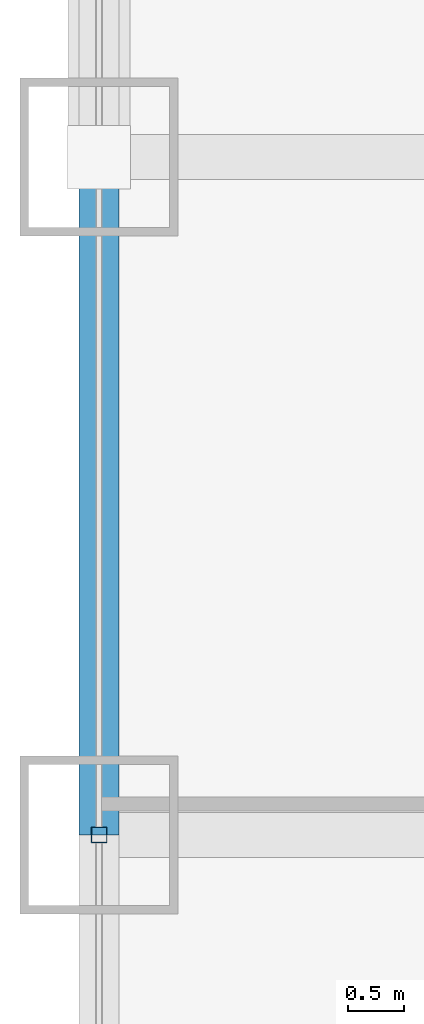
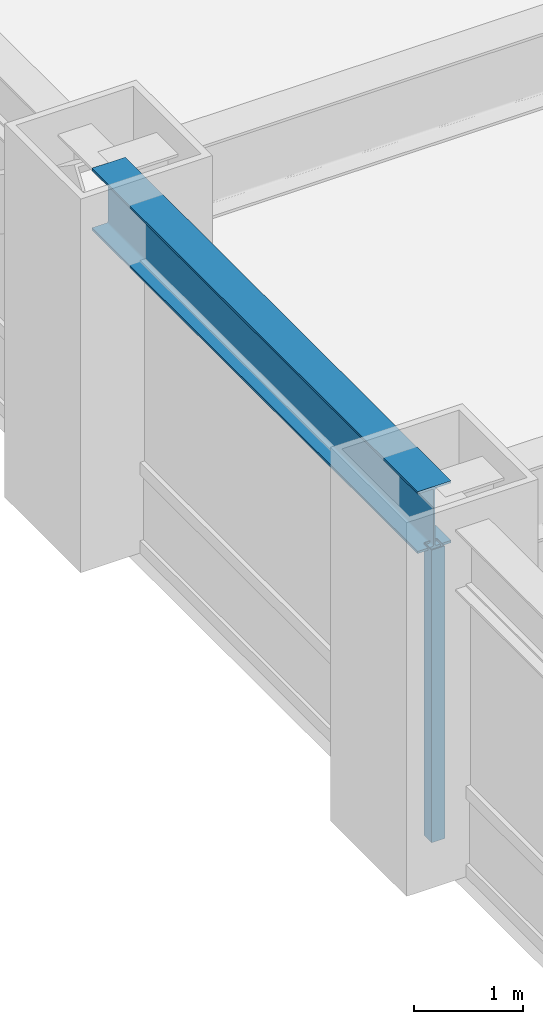
# One storey, part 8 of 32: 1 beam, 1 member, 1 element without a shape of its own.
"""IFC4 building model written with IfcOpenShell, lengths in metres."""

from ifc_helpers import new_model, si_unit, direction, frame, origin, origin_2d, place, context, subcontext, project, spatial, hollow_rectangle, i_section, extrude, source, transform, mapped, material, material_profile, profile_set, type_object, element, aggregate, save


model = new_model("IFC4")

# Units and contexts
model_context = context("Model", 3, precision=1e-05, world=origin(), true_north=direction((0.0, 1.0)))
body_context = subcontext(model_context, "Body", "Model", "MODEL_VIEW")
ifc_project = project(units=[si_unit("LENGTHUNIT", "METRE"), si_unit("AREAUNIT", "SQUARE_METRE"), si_unit("VOLUMEUNIT", "CUBIC_METRE"), si_unit("PLANEANGLEUNIT", "RADIAN"), si_unit("MASSUNIT", "GRAM", prefix="KILO")], contexts=[model_context])

# Site, building, storey
site_placement = place(None, origin())
site = spatial("IfcSite", under=ifc_project, at=site_placement, CompositionType="ELEMENT")
building_placement = place(site_placement, origin())
building = spatial("IfcBuilding", under=site, at=building_placement, Name="Khorayat Bourse Tower", CompositionType="ELEMENT")
storey_placement = place(building_placement, frame((0.0, 0.0, 74.60009765625)))
storey = spatial("IfcBuildingStorey", under=building, at=storey_placement, Name="L16", CompositionType="ELEMENT", Elevation=74.60009765625)

# Beam
ifc_material_1 = material(Name="Steel ASTM A992 Grade 50", Category="steel")
ifc_material_profile_1 = material_profile(ifc_material_1, i_section(OverallWidth=0.35498046875, OverallDepth=0.695068359375, WebThickness=0.015380859375, FlangeThickness=0.02490234375, FilletRadius=0.01806640625, at=origin_2d()), Name="W690X217")
ifc_profile_set_1 = profile_set([ifc_material_profile_1], Name="Steel ASTM A992 Grade 50")
beam_type = type_object("IfcBeamType", Name="BM-SPAN-690", PredefinedType="SPANDREL", material=ifc_profile_set_1)
shared_shape_1 = source(origin(), body_context, "Body", "SweptSolid", [
    extrude(i_section(OverallWidth=0.35498046875, OverallDepth=0.695068359375, WebThickness=0.015380859375, FlangeThickness=0.02490234375, FilletRadius=0.01806640625, at=origin_2d()), origin(), (0.0, 0.0, 1.0), 6.0),
])
beam_placement = place(storey_placement, frame((-32.0, 0.0, 3.59228515625), z_axis=(0.0, 1.0, 0.0), x_axis=(-1.0, 0.0, 0.0)))
element("IfcBeam", 1, at=beam_placement, inside=storey, type_object=beam_type, Name="L16 BM-SPAN-690 BM-L16-SPN-057", PredefinedType="SPANDREL", context=body_context, shape_type="MappedRepresentation", body=[
    mapped(shared_shape_1, transform((0.0, 0.0, 0.0), scale=1.0)),
])

# Curtain wall, member
ifc_material_2 = material(Name="Aluminium EN AW-6063 T6", Category="aluminium")
curtain_wall_type = type_object("IfcCurtainWallType", Name="CW-SYS-02", PredefinedType="NOTDEFINED", material=ifc_material_2)
curtain_wall_placement = place(storey_placement, origin())
curtain_wall = element("IfcCurtainWall", 2, at=curtain_wall_placement, inside=storey, type_object=curtain_wall_type, Name="L16 Curtain Wall CW-L16-W1", PredefinedType="NOTDEFINED")
ifc_material_profile_2 = material_profile(ifc_material_2, hollow_rectangle(XDim=0.139892578125, YDim=0.139892578125, WallThickness=0.006103515625, at=origin_2d()), Name="ALU 140x140x6")
ifc_profile_set_2 = profile_set([ifc_material_profile_2], Name="Aluminium EN AW-6063 T6")
member_type = type_object("IfcMemberType", Name="CWM-VERT-140", PredefinedType="MULLION", material=ifc_profile_set_2)
shared_shape_2 = source(origin(), body_context, "Body", "SweptSolid", [
    extrude(hollow_rectangle(XDim=0.139892578125, YDim=0.139892578125, WallThickness=0.006103515625, at=origin_2d()), origin(), (0.0, 0.0, 1.0), 3.289794921875),
])
member_placement = place(storey_placement, frame((-32.0, 0.0, 0.0), z_axis=(0.0, 0.0, 1.0), x_axis=(-1.0, 0.0, 0.0)))
member = element("IfcMember", 3, at=member_placement, type_object=member_type, Name="CW-L16-W1 Vertical Mullion 2", PredefinedType="MULLION", context=body_context, shape_type="MappedRepresentation", body=[
    mapped(shared_shape_2, transform((0.0, 0.0, 0.0), scale=1.0)),
])
aggregate(curtain_wall, [member])

save(model, "model.ifc")
